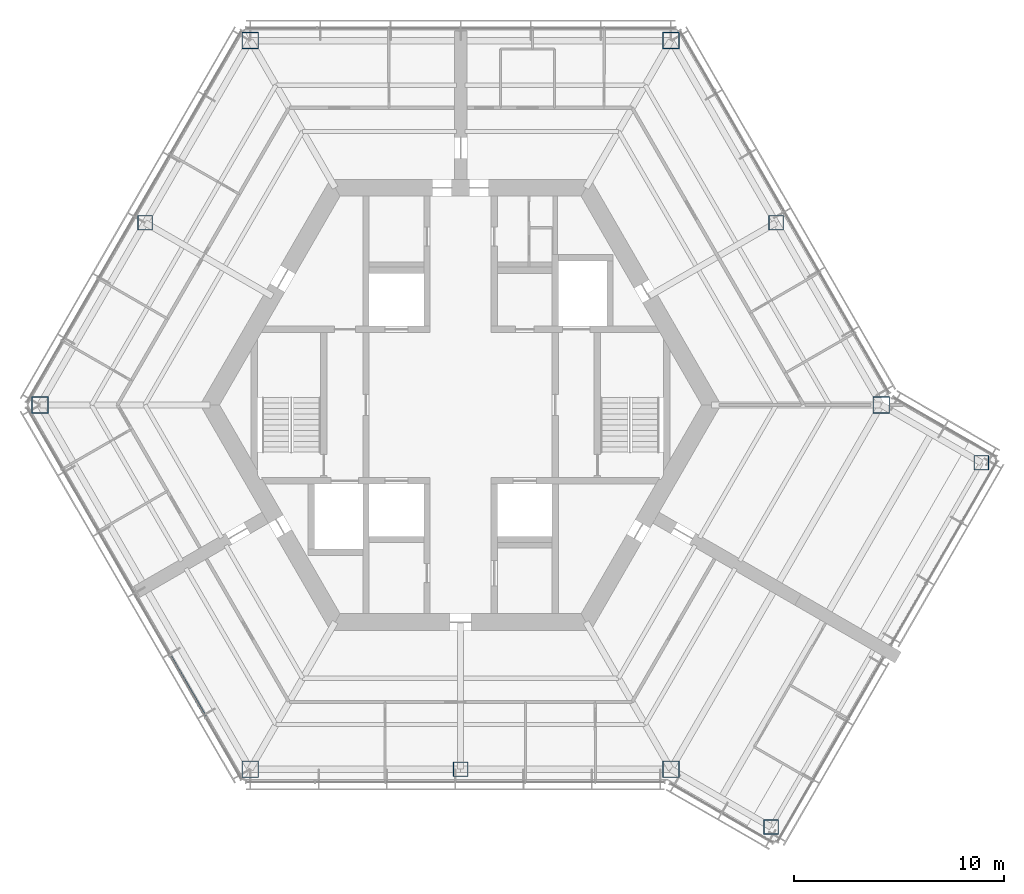
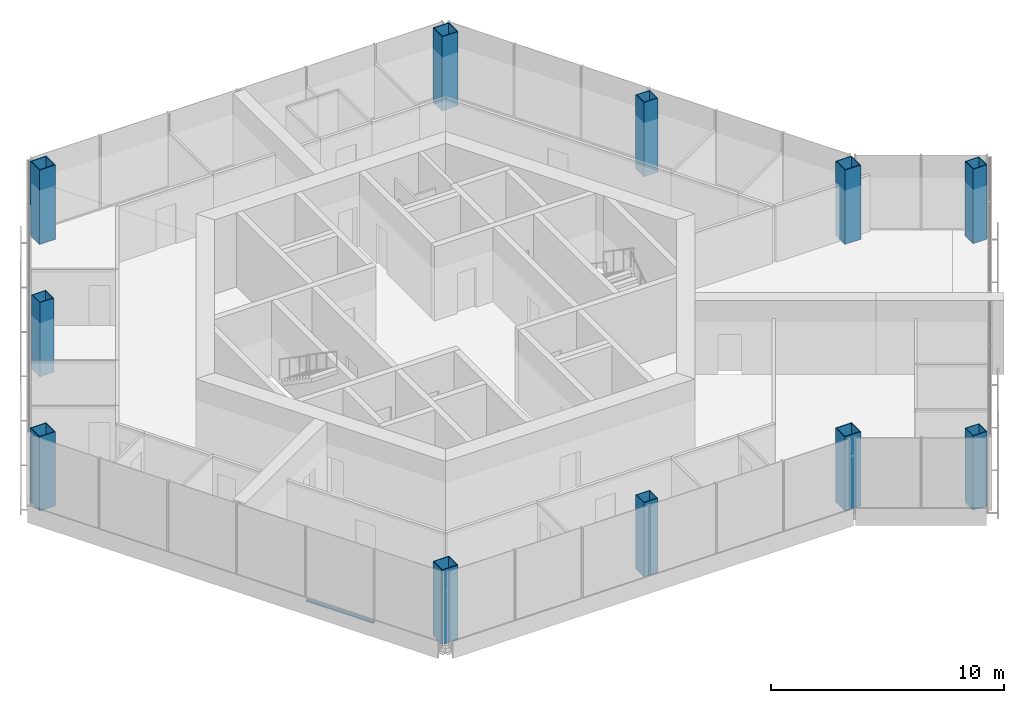
# One storey, part 1 of 13: 11 columns, 1 member, 1 element without a shape of its own.
"""IFC4 building model written with IfcOpenShell, lengths in metres."""

from ifc_helpers import new_model, si_unit, direction, frame, origin, origin_2d, place, context, subcontext, project, spatial, rectangle, hollow_rectangle, extrude, material, material_profile, profile_set, type_object, element, aggregate, save


model = new_model("IFC4")

# Units and contexts
model_context = context("Model", 3, precision=1e-05, world=origin(), true_north=direction((0.0, 1.0)))
body_context = subcontext(model_context, "Body", "Model", "MODEL_VIEW")
ifc_project = project(units=[si_unit("LENGTHUNIT", "METRE"), si_unit("AREAUNIT", "SQUARE_METRE"), si_unit("VOLUMEUNIT", "CUBIC_METRE"), si_unit("PLANEANGLEUNIT", "RADIAN"), si_unit("MASSUNIT", "GRAM", prefix="KILO")], contexts=[model_context])

# Site, building, storey
site_placement = place(None, origin())
site = spatial("IfcSite", under=ifc_project, at=site_placement, CompositionType="ELEMENT")
building_placement = place(site_placement, origin())
building = spatial("IfcBuilding", under=site, at=building_placement, Name="Kasaneha Research Tower", CompositionType="ELEMENT")
storey_placement = place(building_placement, frame((0.0, 0.0, 286.89990234375)))
storey = spatial("IfcBuildingStorey", under=building, at=storey_placement, Name="L72", CompositionType="ELEMENT", Elevation=286.89990234375)

# Columns
ifc_material_1 = material(Name="Steel SN490C", Category="steel")
ifc_material_profile_1 = material_profile(ifc_material_1, hollow_rectangle(XDim=0.800048828125, YDim=0.800048828125, WallThickness=0.0400390625, at=origin_2d()), Name="BOX-800x800x40")
ifc_profile_set_1 = profile_set([ifc_material_profile_1], Name="Steel SN490C")
column_type_1 = type_object("IfcColumnType", Name="C4A column BOX-800x800x40", PredefinedType="COLUMN", material=ifc_profile_set_1)
for number, where, z_axis, x_axis, name in (
    (1, (20.0, 0.0, 0.0), (0.0, 0.0, 1.0), (1.0, 0.0, 0.0), "Column V0 L72"),
    (2, (10.0, 17.320556640625, 0.0), (0.0, 0.0, 1.0), (1.0, 0.0, 0.0), "Column V1 L72"),
    (3, (-10.0, 17.320556640625, 0.0), (0.0, 0.0, 1.0), (1.0, 0.0, 0.0), "Column V2 L72"),
    (4, (-20.0, 0.0, 0.0), (0.0, 0.0, 1.0), (1.0, 0.0, 0.0), "Column V3 L72"),
    (5, (-10.0, -17.320556640625, 0.0), (0.0, 0.0, 1.0), (1.0, 0.0, 0.0), "Column V4 L72"),
    (6, (10.0, -17.320556640625, 0.0), (0.0, 0.0, 1.0), (1.0, 0.0, 0.0), "Column V5 L72"),
):
    element("IfcColumn", number, at=place(storey_placement, frame(where, z_axis=z_axis, x_axis=x_axis)), inside=storey, type_object=column_type_1, Name=name, PredefinedType="COLUMN", context=body_context, shape_type="SweptSolid", body=[
        extrude(hollow_rectangle(XDim=0.800048828125, YDim=0.800048828125, WallThickness=0.0400390625, at=origin_2d()), origin(), (0.0, 0.0, 1.0), 3.900146484375),
    ])
ifc_material_2 = material(Name="Steel SN490C", Category="steel")
ifc_material_profile_2 = material_profile(ifc_material_2, hollow_rectangle(XDim=0.699951171875, YDim=0.699951171875, WallThickness=0.031982421875, at=origin_2d()), Name="BOX-700x700x32")
ifc_profile_set_2 = profile_set([ifc_material_profile_2], Name="Steel SN490C")
column_type_2 = type_object("IfcColumnType", Name="C4B column BOX-700x700x32", PredefinedType="COLUMN", material=ifc_profile_set_2)
for number, where, z_axis, x_axis, name in (
    (7, (15.0, 8.66015625, 0.0), (0.0, 0.0, 1.0), (1.0, 0.0, 0.0), "Column M030 L72"),
    (8, (-15.0, 8.66015625, 0.0), (0.0, 0.0, 1.0), (1.0, 0.0, 0.0), "Column M150 L72"),
    (9, (0.0, -17.320556640625, 0.0), (0.0, 0.0, 1.0), (1.0, 0.0, 0.0), "Column M270 L72"),
    (10, (14.76318359375, -20.070556640625, 0.0), (0.0, 0.0, 1.0), (1.0, 0.0, 0.0), "Column CSP L72"),
    (11, (24.76318359375, -2.75, 0.0), (0.0, 0.0, 1.0), (1.0, 0.0, 0.0), "Column CSN L72"),
):
    element("IfcColumn", number, at=place(storey_placement, frame(where, z_axis=z_axis, x_axis=x_axis)), inside=storey, type_object=column_type_2, Name=name, PredefinedType="COLUMN", context=body_context, shape_type="SweptSolid", body=[
        extrude(hollow_rectangle(XDim=0.699951171875, YDim=0.699951171875, WallThickness=0.031982421875, at=origin_2d()), origin(), (0.0, 0.0, 1.0), 3.900146484375),
    ])

# Curtain wall, member
ifc_material_3 = material(Name="Glass and aluminium", Category="aluminium")
curtain_wall_type = type_object("IfcCurtainWallType", Name="Crown curtain wall", PredefinedType="USERDEFINED", material=ifc_material_3)
curtain_wall_placement = place(storey_placement, origin())
curtain_wall = element("IfcCurtainWall", 12, at=curtain_wall_placement, inside=storey, type_object=curtain_wall_type, Name="CW-C L72 run 04a", ObjectType="UNITISED CURTAIN WALL", PredefinedType="USERDEFINED")
ifc_material_4 = material(Name="Aluminium 6063-T6", Category="aluminium")
ifc_material_profile_3 = material_profile(ifc_material_4, rectangle(XDim=0.1298828125, YDim=0.06005859375, at=origin_2d()), Name="CW-C transom 130x60")
ifc_profile_set_3 = profile_set([ifc_material_profile_3], Name="Aluminium 6063-T6")
member_type = type_object("IfcMemberType", Name="CW-C transom", PredefinedType="USERDEFINED", material=ifc_profile_set_3)
member_placement = place(storey_placement, frame((-13.796875, -11.944091796875, 0.030029296875), z_axis=(0.499989072476, -0.866031712701, 0.0), x_axis=(0.866031712701, 0.499989072476, 0.0)))
member = element("IfcMember", 13, at=member_placement, type_object=member_type, Name="CW-C transom 5", ObjectType="TRANSOM", PredefinedType="USERDEFINED", context=body_context, shape_type="SweptSolid", body=[
    extrude(rectangle(XDim=0.1298828125, YDim=0.06005859375, at=origin_2d()), origin(), (0.0, 0.0, 1.0), 3.35546875),
])
aggregate(curtain_wall, [member])

save(model, "model.ifc")
